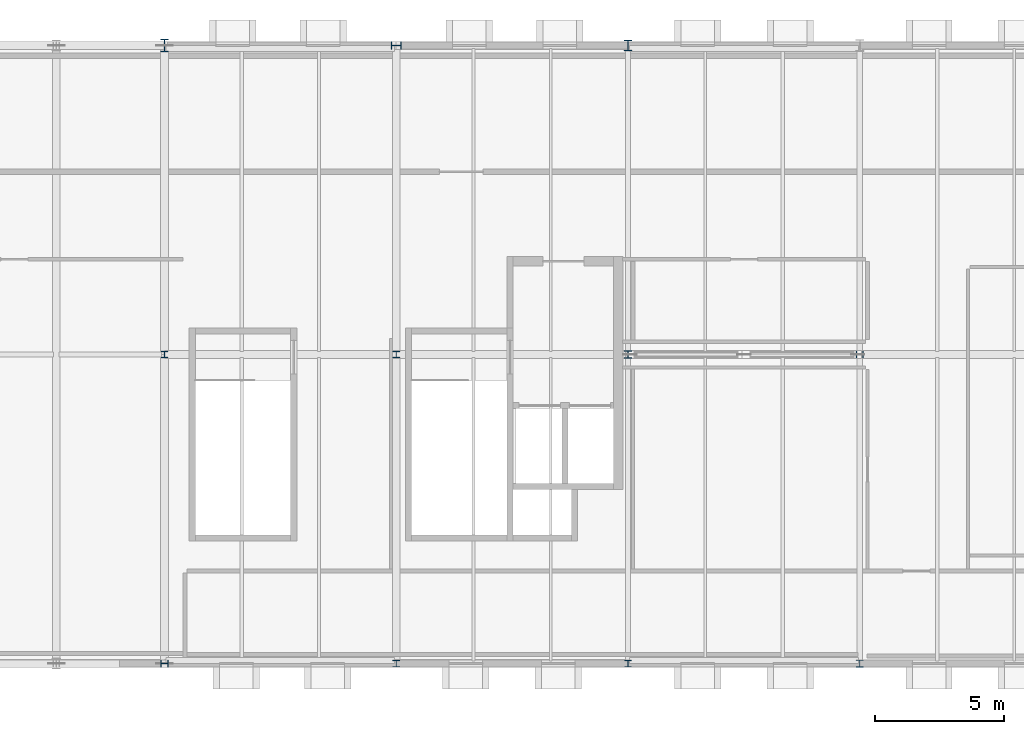
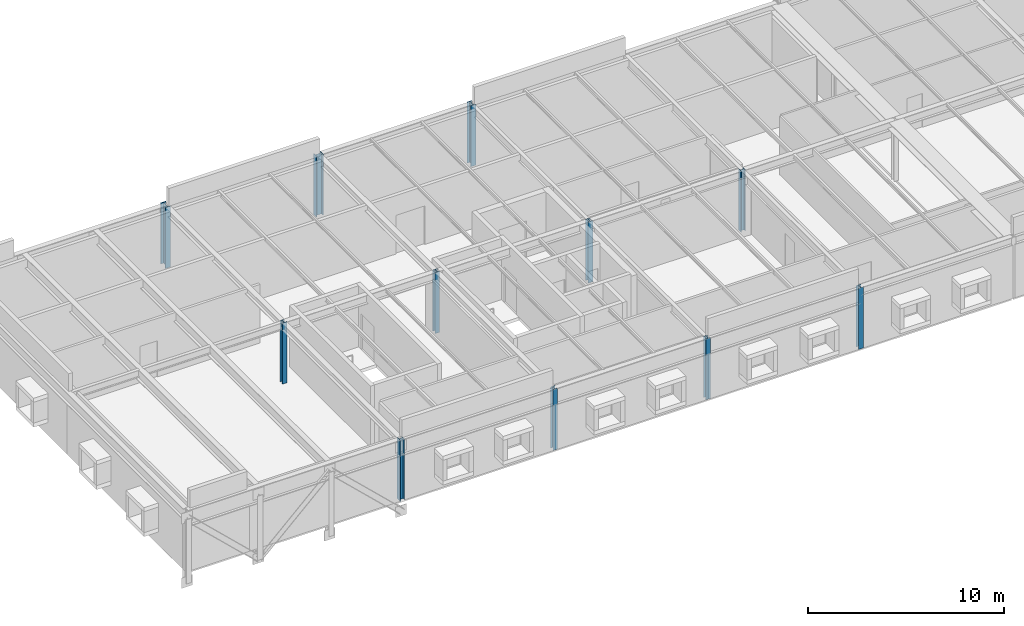
# One storey, part 1 of 16: 11 columns.
"""IFC4 building model written with IfcOpenShell, lengths in metres."""

from ifc_helpers import new_model, si_unit, direction, frame, origin, origin_2d, place, context, subcontext, project, spatial, i_section, extrude, material, material_profile, profile_set, type_object, element, save


model = new_model("IFC4")

# Units and contexts
model_context = context("Model", 3, precision=1e-05, world=origin(), true_north=direction((0.0, 1.0)))
body_context = subcontext(model_context, "Body", "Model", "MODEL_VIEW")
ifc_project = project(units=[si_unit("LENGTHUNIT", "METRE"), si_unit("AREAUNIT", "SQUARE_METRE"), si_unit("VOLUMEUNIT", "CUBIC_METRE"), si_unit("PLANEANGLEUNIT", "RADIAN"), si_unit("MASSUNIT", "GRAM", prefix="KILO")], contexts=[model_context])

# Site, building, storey
site_placement = place(None, origin())
site = spatial("IfcSite", under=ifc_project, at=site_placement, CompositionType="ELEMENT")
building_placement = place(site_placement, origin())
building = spatial("IfcBuilding", under=site, at=building_placement, Name="Montelvaro Courts of Justice", CompositionType="ELEMENT")
storey_placement = place(building_placement, frame((0.0, 0.0, 35.39990234375)))
storey = spatial("IfcBuildingStorey", under=building, at=storey_placement, Name="L08", CompositionType="ELEMENT", Elevation=35.39990234375)

# Columns
ifc_material = material(Name="Steel S355", Category="steel")
ifc_material_profile_1 = material_profile(ifc_material, i_section(OverallWidth=0.260009765625, OverallDepth=0.260009765625, WebThickness=0.010009765625, FlangeThickness=0.017578125, at=origin_2d()), Name="HEB 260")
ifc_profile_set_1 = profile_set([ifc_material_profile_1], Name="Steel S355")
column_type_1 = type_object("IfcColumnType", Name="Col_HEB260", PredefinedType="COLUMN", material=ifc_profile_set_1)
for number, where, z_axis, x_axis, name in (
    (1, (45.0, 12.0, 0.0), (0.0, 0.0, 1.0), (1.0, 0.0, 0.0), "Column C-01 L08 6/B"),
    (2, (54.0, 0.0, 0.0), (0.0, 0.0, 1.0), (1.0, 0.0, 0.0), "Column C-01 L08 7/A"),
    (3, (54.0, 12.0, 0.0), (0.0, 0.0, 1.0), (1.0, 0.0, 0.0), "Column C-01 L08 7/B"),
    (4, (63.0, 0.0, 0.0), (0.0, 0.0, 1.0), (1.0, 0.0, 0.0), "Column C-01 L08 8/A"),
    (5, (72.0, 12.0, 0.0), (0.0, 0.0, 1.0), (0.0, 1.0, 0.0), "Column C-01 L08 9/B"),
):
    element("IfcColumn", number, at=place(storey_placement, frame(where, z_axis=z_axis, x_axis=x_axis)), inside=storey, type_object=column_type_1, Name=name, PredefinedType="COLUMN", context=body_context, shape_type="SweptSolid", body=[
        extrude(i_section(OverallWidth=0.260009765625, OverallDepth=0.260009765625, WebThickness=0.010009765625, FlangeThickness=0.017578125, at=origin_2d()), origin(), (0.0, 0.0, 1.0), 3.800048828125),
    ])
ifc_material_profile_2 = material_profile(ifc_material, i_section(OverallWidth=0.280029296875, OverallDepth=0.280029296875, WebThickness=0.010498046875, FlangeThickness=0.01806640625, at=origin_2d()), Name="HEB 280")
ifc_profile_set_2 = profile_set([ifc_material_profile_2], Name="Steel S355")
column_type_2 = type_object("IfcColumnType", Name="Col_HEB280", PredefinedType="COLUMN", material=ifc_profile_set_2)
for number, where, z_axis, x_axis, name in (
    (6, (45.0, 0.0, 0.0), (0.0, 0.0, 1.0), (0.0, 1.0, 0.0), "Column C-02 L08 6/A"),
    (7, (63.0, 12.0, 0.0), (0.0, 0.0, 1.0), (1.0, 0.0, 0.0), "Column C-02 L08 8/B"),
    (8, (72.0, 0.0, 0.0), (0.0, 0.0, 1.0), (1.0, 0.0, 0.0), "Column C-02 L08 9/A"),
):
    element("IfcColumn", number, at=place(storey_placement, frame(where, z_axis=z_axis, x_axis=x_axis)), inside=storey, type_object=column_type_2, Name=name, PredefinedType="COLUMN", context=body_context, shape_type="SweptSolid", body=[
        extrude(i_section(OverallWidth=0.280029296875, OverallDepth=0.280029296875, WebThickness=0.010498046875, FlangeThickness=0.01806640625, at=origin_2d()), origin(), (0.0, 0.0, 1.0), 3.800048828125),
    ])
ifc_material_profile_3 = material_profile(ifc_material, i_section(OverallWidth=0.300048828125, OverallDepth=0.39990234375, WebThickness=0.013427734375, FlangeThickness=0.02392578125, at=origin_2d()), Name="HEB 400")
ifc_profile_set_3 = profile_set([ifc_material_profile_3], Name="Steel S355")
column_type_3 = type_object("IfcColumnType", Name="Col_HEB400", PredefinedType="COLUMN", material=ifc_profile_set_3)
for number, where, z_axis, x_axis, name in (
    (9, (54.0, 24.0, 0.0), (0.0, 0.0, 1.0), (0.0, 1.0, 0.0), "Column C-07 L08 7/C"),
    (10, (63.0, 24.0, 0.0), (0.0, 0.0, 1.0), (1.0, 0.0, 0.0), "Column C-07 L08 8/C"),
):
    element("IfcColumn", number, at=place(storey_placement, frame(where, z_axis=z_axis, x_axis=x_axis)), inside=storey, type_object=column_type_3, Name=name, PredefinedType="COLUMN", context=body_context, shape_type="SweptSolid", body=[
        extrude(i_section(OverallWidth=0.300048828125, OverallDepth=0.39990234375, WebThickness=0.013427734375, FlangeThickness=0.02392578125, at=origin_2d()), origin(), (0.0, 0.0, 1.0), 3.800048828125),
    ])
ifc_material_profile_4 = material_profile(ifc_material, i_section(OverallWidth=0.300048828125, OverallDepth=0.5, WebThickness=0.014404296875, FlangeThickness=0.028076171875, at=origin_2d()), Name="HEB 500")
ifc_profile_set_4 = profile_set([ifc_material_profile_4], Name="Steel S355")
column_type_4 = type_object("IfcColumnType", Name="Col_HEB500", PredefinedType="COLUMN", material=ifc_profile_set_4)
column_placement = place(storey_placement, frame((45.0, 24.0, 0.0), z_axis=(0.0, 0.0, 1.0), x_axis=(1.0, 0.0, 0.0)))
element("IfcColumn", 11, at=column_placement, inside=storey, type_object=column_type_4, Name="Column C-09 L08 6/C", PredefinedType="COLUMN", context=body_context, shape_type="SweptSolid", body=[
    extrude(i_section(OverallWidth=0.300048828125, OverallDepth=0.5, WebThickness=0.014404296875, FlangeThickness=0.028076171875, at=origin_2d()), origin(), (0.0, 0.0, 1.0), 3.800048828125),
])

save(model, "model.ifc")
